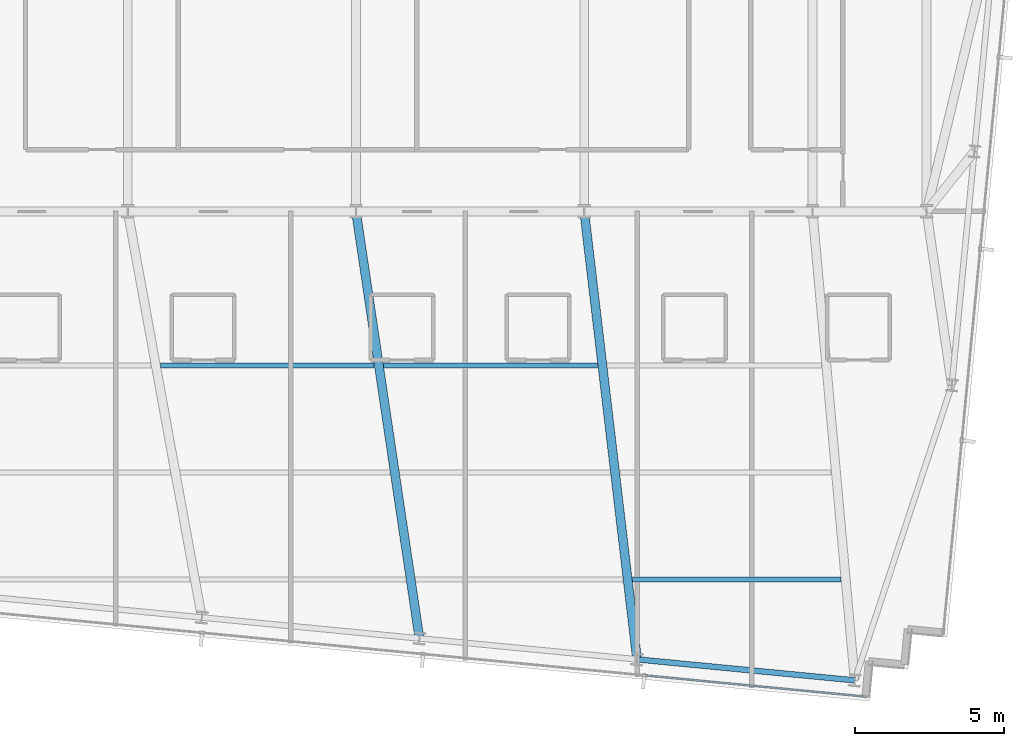
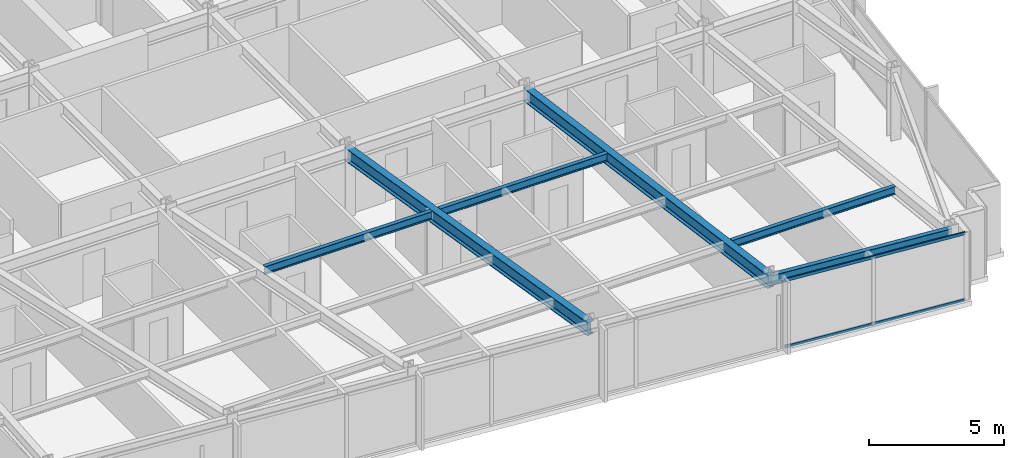
# One storey, part 13 of 37: 6 beams, 2 members, 1 element without a shape of its own.
"""IFC4 building model written with IfcOpenShell, lengths in metres."""

from ifc_helpers import new_model, si_unit, direction, frame, origin, origin_2d, place, context, subcontext, project, spatial, hollow_rectangle, i_section, extrude, material, material_profile, profile_set, type_object, element, aggregate, save


model = new_model("IFC4")

# Units and contexts
model_context = context("Model", 3, precision=1e-05, world=origin(), true_north=direction((0.0, 1.0)))
body_context = subcontext(model_context, "Body", "Model", "MODEL_VIEW")
ifc_project = project(units=[si_unit("LENGTHUNIT", "METRE"), si_unit("AREAUNIT", "SQUARE_METRE"), si_unit("VOLUMEUNIT", "CUBIC_METRE"), si_unit("PLANEANGLEUNIT", "RADIAN"), si_unit("MASSUNIT", "GRAM", prefix="KILO")], contexts=[model_context])

# Site, building, storey
site_placement = place(None, origin())
site = spatial("IfcSite", under=ifc_project, at=site_placement, CompositionType="ELEMENT")
building_placement = place(site_placement, origin())
building = spatial("IfcBuilding", under=site, at=building_placement, Name="Yelkora Congress Tower", CompositionType="ELEMENT")
storey_placement = place(building_placement, frame((0.0, 0.0, 158.89990234375)))
storey = spatial("IfcBuildingStorey", under=building, at=storey_placement, Name="L43", CompositionType="ELEMENT", Elevation=158.89990234375)

# Beams
ifc_material_1 = material(Name="Steel S355J2", Category="steel")
ifc_material_profile_1 = material_profile(ifc_material_1, i_section(OverallWidth=0.300048828125, OverallDepth=0.60009765625, WebThickness=0.015380859375, FlangeThickness=0.030029296875, FilletRadius=0.027099609375, at=origin_2d()), Name="HEB 600")
ifc_profile_set_1 = profile_set([ifc_material_profile_1], Name="Steel S355J2")
beam_type_1 = type_object("IfcBeamType", Name="BM-GIRD-HEB600", PredefinedType="BEAM", material=ifc_profile_set_1)
beam_1_placement = place(storey_placement, frame((40.53564453125, 10.83154296875, 2.780029296875), z_axis=(-0.147026183693, 0.989132600468, 0.0), x_axis=(-0.989132600468, -0.147026183693, 0.0)))
element("IfcBeam", 1, at=beam_1_placement, inside=storey, type_object=beam_type_1, Name="L43 Primary Frame Girder S06", PredefinedType="BEAM", context=body_context, shape_type="SweptSolid", body=[
    extrude(i_section(OverallWidth=0.300048828125, OverallDepth=0.60009765625, WebThickness=0.015380859375, FlangeThickness=0.030029296875, FilletRadius=0.027099609375, at=origin_2d()), origin(), (0.0, 0.0, 1.0), 14.5263671875),
])
beam_2_placement = place(storey_placement, frame((47.85888671875, 10.12646484375, 2.780029296875), z_axis=(-0.117195880411, 0.993108818617, 0.0), x_axis=(-0.993108818617, -0.117195880411, 0.0)))
element("IfcBeam", 2, at=beam_2_placement, inside=storey, type_object=beam_type_1, Name="L43 Primary Frame Girder S07", PredefinedType="BEAM", context=body_context, shape_type="SweptSolid", body=[
    extrude(i_section(OverallWidth=0.300048828125, OverallDepth=0.60009765625, WebThickness=0.015380859375, FlangeThickness=0.030029296875, FilletRadius=0.027099609375, at=origin_2d()), origin(), (0.0, 0.0, 1.0), 15.177978515625),
])
ifc_material_profile_2 = material_profile(ifc_material_1, i_section(OverallWidth=0.169921875, OverallDepth=0.360107421875, WebThickness=0.008056640625, FlangeThickness=0.0126953125, FilletRadius=0.01806640625, at=origin_2d()), Name="IPE 360")
ifc_profile_set_2 = profile_set([ifc_material_profile_2], Name="Steel S355J2")
beam_type_2 = type_object("IfcBeamType", Name="BM-JOIST-IPE360", PredefinedType="JOIST", material=ifc_profile_set_2)
beam_3_placement = place(storey_placement, frame((47.700927734375, 12.8212890625, 2.900146484375), z_axis=(1.0, 0.0, 0.0), x_axis=(0.0, 1.0, 0.0)))
element("IfcBeam", 3, at=beam_3_placement, inside=storey, type_object=beam_type_2, Name="L43 Composite Floor Joist 4", PredefinedType="JOIST", context=body_context, shape_type="SweptSolid", body=[
    extrude(i_section(OverallWidth=0.169921875, OverallDepth=0.360107421875, WebThickness=0.008056640625, FlangeThickness=0.0126953125, FilletRadius=0.01806640625, at=origin_2d()), origin(), (0.0, 0.0, 1.0), 7.014892578125),
])
beam_4_placement = place(storey_placement, frame((31.82470703125, 20.021240234375, 2.900146484375), z_axis=(1.0, 0.0, 0.0), x_axis=(0.0, 1.0, 0.0)))
element("IfcBeam", 4, at=beam_4_placement, inside=storey, type_object=beam_type_2, Name="L43 Composite Floor Joist 16", PredefinedType="JOIST", context=body_context, shape_type="SweptSolid", body=[
    extrude(i_section(OverallWidth=0.169921875, OverallDepth=0.360107421875, WebThickness=0.008056640625, FlangeThickness=0.0126953125, FilletRadius=0.01806640625, at=origin_2d()), origin(), (0.0, 0.0, 1.0), 7.18505859375),
])
beam_5_placement = place(storey_placement, frame((39.32958984375, 20.021240234375, 2.900146484375), z_axis=(1.0, 0.0, 0.0), x_axis=(0.0, 1.0, 0.0)))
element("IfcBeam", 5, at=beam_5_placement, inside=storey, type_object=beam_type_2, Name="L43 Composite Floor Joist 17", PredefinedType="JOIST", context=body_context, shape_type="SweptSolid", body=[
    extrude(i_section(OverallWidth=0.169921875, OverallDepth=0.360107421875, WebThickness=0.008056640625, FlangeThickness=0.0126953125, FilletRadius=0.01806640625, at=origin_2d()), origin(), (0.0, 0.0, 1.0), 7.20166015625),
])
ifc_material_profile_3 = material_profile(ifc_material_1, i_section(OverallWidth=0.18994140625, OverallDepth=0.449951171875, WebThickness=0.009521484375, FlangeThickness=0.0146484375, FilletRadius=0.02099609375, at=origin_2d()), Name="IPE 450")
ifc_profile_set_3 = profile_set([ifc_material_profile_3], Name="Steel S355J2")
beam_type_3 = type_object("IfcBeamType", Name="BM-SPAN-IPE450", PredefinedType="SPANDREL", material=ifc_profile_set_3)
beam_6_placement = place(storey_placement, frame((47.85888671875, 10.12646484375, 2.85498046875), z_axis=(0.995393938538, -0.095869218844, 0.0), x_axis=(0.095869218844, 0.995393938538, 0.0)))
element("IfcBeam", 6, at=beam_6_placement, inside=storey, type_object=beam_type_3, Name="L43 Perimeter Beam 8", PredefinedType="SPANDREL", context=body_context, shape_type="SweptSolid", body=[
    extrude(i_section(OverallWidth=0.18994140625, OverallDepth=0.449951171875, WebThickness=0.009521484375, FlangeThickness=0.0146484375, FilletRadius=0.02099609375, at=origin_2d()), origin(), (0.0, 0.0, 1.0), 7.357177734375),
])

# Curtain wall, members
ifc_material_2 = material(Name="Anodised aluminium and insulated glass", Category="aluminium")
curtain_wall_type = type_object("IfcCurtainWallType", Name="CW-SYS-B3", PredefinedType="NOTDEFINED", material=ifc_material_2)
curtain_wall_placement = place(storey_placement, origin())
curtain_wall = element("IfcCurtainWall", 7, at=curtain_wall_placement, inside=storey, type_object=curtain_wall_type, Name="L43 Unitised Curtain Wall 20", PredefinedType="NOTDEFINED")
ifc_material_3 = material(Name="Anodised aluminium 6063-T6", Category="aluminium")
ifc_material_profile_4 = material_profile(ifc_material_3, hollow_rectangle(XDim=0.06005859375, YDim=0.1298828125, WallThickness=0.00390625, at=origin_2d()), Name="ALU 60x130x4")
ifc_profile_set_4 = profile_set([ifc_material_profile_4], Name="Anodised aluminium 6063-T6")
member_type = type_object("IfcMemberType", Name="MEM-TR-B3", PredefinedType="USERDEFINED", material=ifc_profile_set_4)
member_1_placement = place(storey_placement, frame((55.4716796875, 8.881103515625, 0.030029296875), z_axis=(-0.995396212442, 0.095845606344, 0.0), x_axis=(-0.095845606344, -0.995396212442, 0.0)))
member_1 = element("IfcMember", 8, at=member_1_placement, type_object=member_type, Name="CW-B3 transom 1.1", ObjectType="TRANSOM", PredefinedType="USERDEFINED", context=body_context, shape_type="SweptSolid", body=[
    extrude(hollow_rectangle(XDim=0.06005859375, YDim=0.1298828125, WallThickness=0.00390625, at=origin_2d()), origin(), (0.0, 0.0, 1.0), 7.369140625),
])
member_2_placement = place(storey_placement, frame((55.4716796875, 8.881103515625, 3.050048828125), z_axis=(-0.995396212442, 0.095845606344, 0.0), x_axis=(-0.095845606344, -0.995396212442, 0.0)))
member_2 = element("IfcMember", 9, at=member_2_placement, type_object=member_type, Name="CW-B3 transom 1.2", ObjectType="TRANSOM", PredefinedType="USERDEFINED", context=body_context, shape_type="SweptSolid", body=[
    extrude(hollow_rectangle(XDim=0.06005859375, YDim=0.1298828125, WallThickness=0.00390625, at=origin_2d()), origin(), (0.0, 0.0, 1.0), 7.369140625),
])
aggregate(curtain_wall, [member_1, member_2])

save(model, "model.ifc")
